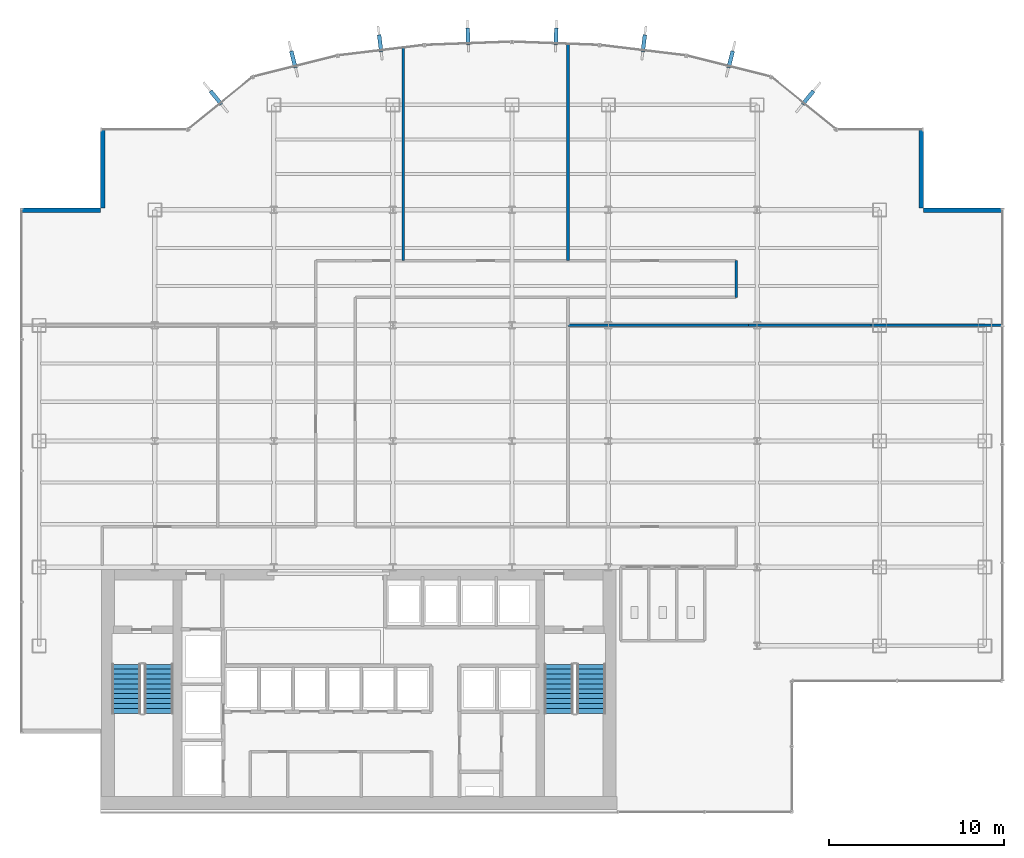
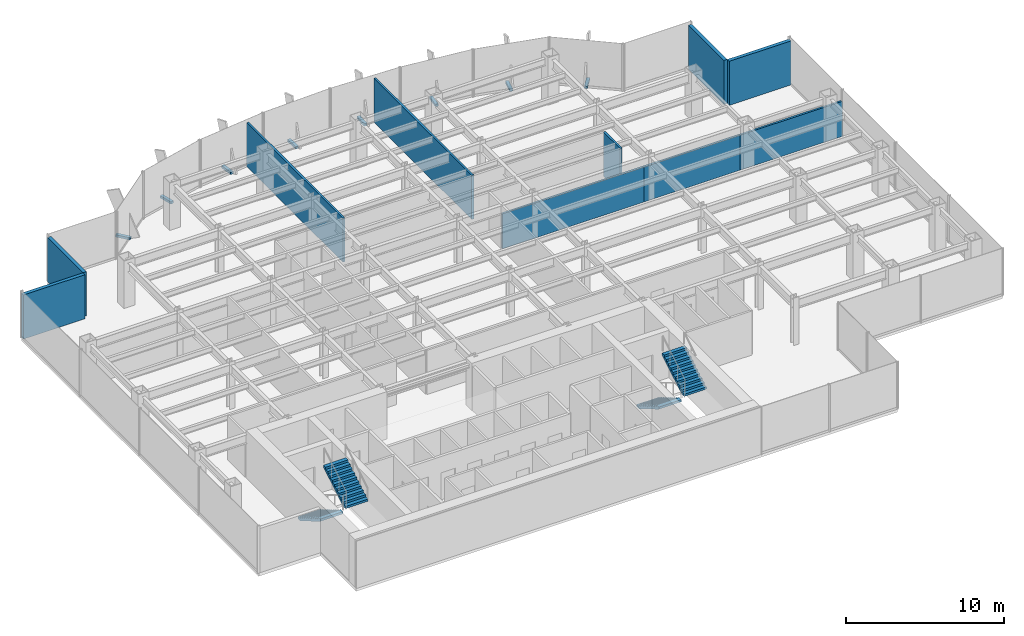
# One storey, part 23 of 26: 10 walls, 8 discrete accessories, 4 stair flights, 2 elements without a shape of their own.
"""IFC4 building model written with IfcOpenShell, lengths in metres."""

from ifc_helpers import new_model, si_unit, derived_unit, direction, frame, frame_2d, origin, origin_2d, place, context, subcontext, project, spatial, polyline, rectangle, outline, extrude, source, transform, mapped, material, layer, layer_set, type_object, element, aggregate, save


model = new_model("IFC4")

# Units and contexts
model_context = context("Model", 3, precision=1e-05, world=origin(), true_north=direction((0.0, 1.0)))
body_context = subcontext(model_context, "Body", "Model", "MODEL_VIEW")
ifc_project = project(units=[si_unit("LENGTHUNIT", "METRE"), si_unit("AREAUNIT", "SQUARE_METRE"), si_unit("VOLUMEUNIT", "CUBIC_METRE"), si_unit("PLANEANGLEUNIT", "RADIAN"), si_unit("MASSUNIT", "GRAM", prefix="KILO"), derived_unit("THERMALTRANSMITTANCEUNIT", [(si_unit("POWERUNIT", "WATT"), 1), (si_unit("LENGTHUNIT", "METRE"), -2), (si_unit("THERMODYNAMICTEMPERATUREUNIT", "KELVIN"), -1)])], contexts=[model_context])

# Site, building, storey
site_placement = place(None, origin())
site = spatial("IfcSite", under=ifc_project, at=site_placement, CompositionType="ELEMENT")
building_placement = place(site_placement, origin())
building = spatial("IfcBuilding", under=site, at=building_placement, Name="Skarnbrae Concourse Arena and Tower", CompositionType="ELEMENT")
storey_placement = place(building_placement, frame((0.0, 0.0, 128.800048828125)))
storey = spatial("IfcBuildingStorey", under=building, at=storey_placement, Name="L32", CompositionType="ELEMENT", Elevation=128.800048828125)

# Walls
ifc_material_1 = material(Name="Precast concrete 40 MPa (C40/50)", Category="concrete")
ifc_layer_1 = layer(ifc_material_1, 0.25)
ifc_layer_set_1 = layer_set([ifc_layer_1], Name="Precast concrete 40 MPa (C40/50)")
wall_type_1 = type_object("IfcWallType", Name="WALL-EXT-SPANDREL-250", PredefinedType="STANDARD", material=ifc_layer_set_1)
shared_shape_1 = source(origin(), body_context, "Body", "SweptSolid", [
    extrude(rectangle(XDim=4.5, YDim=0.25, at=frame_2d((2.25, 0.0))), origin(), (0.0, 0.0, 1.0), 3.39990234375),
])
for number, where, z_axis, x_axis, name in (
    (1, (56.0, 34.375, 0.0), (0.0, 0.0, 1.0), (-1.0, 0.0, 0.0), "L32 Notched corner insulated return wall 05"),
    (2, (51.375, 34.5, 0.0), (0.0, 0.0, 1.0), (0.0, 1.0, 0.0), "L32 Notched corner insulated return wall 06"),
    (3, (4.625, 39.0, 0.0), (0.0, 0.0, 1.0), (0.0, -1.0, 0.0), "L32 Notched corner insulated return wall 17"),
    (4, (4.5, 34.375, 0.0), (0.0, 0.0, 1.0), (-1.0, 0.0, 0.0), "L32 Notched corner insulated return wall 18"),
):
    element("IfcWall", number, at=place(storey_placement, frame(where, z_axis=z_axis, x_axis=x_axis)), inside=storey, type_object=wall_type_1, Name=name, PredefinedType="STANDARD", context=body_context, shape_type="MappedRepresentation", body=[
        mapped(shared_shape_1, transform((0.0, 0.0, 0.0))),
    ])
ifc_material_2 = material(Name="Gypsum board on cold-formed steel studs", Category="steel")
ifc_layer_2 = layer(ifc_material_2, 0.14990234375)
ifc_layer_set_2 = layer_set([ifc_layer_2], Name="Gypsum board on cold-formed steel studs")
wall_type_2 = type_object("IfcWallType", Name="WALL-PART-150-1HR", PredefinedType="PARTITIONING", material=ifc_layer_set_2)
shared_shape_2 = source(origin(), body_context, "Body", "SweptSolid", [
    extrude(rectangle(XDim=2.10009765625, YDim=0.14990234375, at=frame_2d((1.050048828125, 0.0))), origin(), (0.0, 0.0, 1.0), 3.39990234375),
])
wall_1_placement = place(storey_placement, frame((40.800048828125, 31.5, 0.0), z_axis=(0.0, 0.0, 1.0), x_axis=(0.0, -1.0, 0.0)))
element("IfcWall", 5, at=wall_1_placement, inside=storey, type_object=wall_type_2, Name="L32 Interior partition wall W-L32-COR-07", PredefinedType="PARTITIONING", context=body_context, shape_type="MappedRepresentation", body=[
    mapped(shared_shape_2, transform((0.0, 0.0, 0.0))),
])
ifc_layer_3 = layer(ifc_material_2, 0.14990234375)
ifc_layer_set_3 = layer_set([ifc_layer_3], Name="Gypsum board on cold-formed steel studs")
wall_type_3 = type_object("IfcWallType", Name="WALL-PART-150", PredefinedType="PARTITIONING", material=ifc_layer_set_3)
shared_shape_3 = source(origin(), body_context, "Body", "SweptSolid", [
    extrude(rectangle(XDim=12.1484375, YDim=0.14990234375, at=frame_2d((6.07421875, 0.0))), origin(), (0.0, 0.0, 1.0), 3.39990234375),
])
wall_2_placement = place(storey_placement, frame((21.800048828125, 43.6484375, 0.0), z_axis=(0.0, 0.0, 1.0), x_axis=(0.0, -1.0, 0.0)))
element("IfcWall", 6, at=wall_2_placement, inside=storey, type_object=wall_type_3, Name="L32 Interior partition wall W-L32-DEM-16", PredefinedType="PARTITIONING", context=body_context, shape_type="MappedRepresentation", body=[
    mapped(shared_shape_3, transform((0.0, 0.0, 0.0))),
])
shared_shape_4 = source(origin(), body_context, "Body", "SweptSolid", [
    extrude(rectangle(XDim=7.47998046875, YDim=0.14990234375, at=frame_2d((3.739990234375, 0.0))), origin(), (0.0, 0.0, 1.0), 2.701904296875),
])
wall_3_placement = place(storey_placement, frame((55.97998046875, 27.800048828125, 0.0), z_axis=(0.0, 0.0, 1.0), x_axis=(-1.0, 0.0, 0.0)))
element("IfcWall", 7, at=wall_3_placement, inside=storey, type_object=wall_type_3, Name="L32 Interior partition wall W-L32-DEM-18", PredefinedType="PARTITIONING", context=body_context, shape_type="MappedRepresentation", body=[
    mapped(shared_shape_4, transform((0.0, 0.0, 0.0))),
])
shared_shape_5 = source(origin(), body_context, "Body", "SweptSolid", [
    extrude(rectangle(XDim=7.0, YDim=0.14990234375, at=frame_2d((3.5, 0.0))), origin(), (0.0, 0.0, 1.0), 2.701904296875),
])
wall_4_placement = place(storey_placement, frame((48.5, 27.800048828125, 0.0), z_axis=(0.0, 0.0, 1.0), x_axis=(-1.0, 0.0, 0.0)))
element("IfcWall", 8, at=wall_4_placement, inside=storey, type_object=wall_type_3, Name="L32 Interior partition wall W-L32-DEM-19", PredefinedType="PARTITIONING", context=body_context, shape_type="MappedRepresentation", body=[
    mapped(shared_shape_5, transform((0.0, 0.0, 0.0))),
])
shared_shape_6 = source(origin(), body_context, "Body", "SweptSolid", [
    extrude(rectangle(XDim=10.300048828125, YDim=0.14990234375, at=frame_2d((5.14990234375, 0.0))), origin(), (0.0, 0.0, 1.0), 2.701904296875),
])
wall_5_placement = place(storey_placement, frame((41.5, 27.800048828125, 0.0), z_axis=(0.0, 0.0, 1.0), x_axis=(-1.0, 0.0, 0.0)))
element("IfcWall", 9, at=wall_5_placement, inside=storey, type_object=wall_type_3, Name="L32 Interior partition wall W-L32-DEM-20", PredefinedType="PARTITIONING", context=body_context, shape_type="MappedRepresentation", body=[
    mapped(shared_shape_6, transform((0.0, 0.0, 0.0))),
])
shared_shape_7 = source(origin(), body_context, "Body", "SweptSolid", [
    extrude(rectangle(XDim=12.36083984375, YDim=0.14990234375, at=frame_2d((6.180419921875, 0.0))), origin(), (0.0, 0.0, 1.0), 3.39990234375),
])
wall_6_placement = place(storey_placement, frame((31.199951171875, 43.86083984375, 0.0), z_axis=(0.0, 0.0, 1.0), x_axis=(0.0, -1.0, 0.0)))
element("IfcWall", 10, at=wall_6_placement, inside=storey, type_object=wall_type_3, Name="L32 Interior partition wall W-L32-DEM-22", PredefinedType="PARTITIONING", context=body_context, shape_type="MappedRepresentation", body=[
    mapped(shared_shape_7, transform((0.0, 0.0, 0.0))),
])

# Stair, stair flights
ifc_material_3 = material(Name="Concrete 40 MPa (C40/50)", Category="concrete")
stair_type = type_object("IfcStairType", Name="STAIR-DOGLEG-1650", PredefinedType="HALF_TURN_STAIR", material=ifc_material_3)
stair_1_placement = place(storey_placement, origin())
stair_1 = element("IfcStair", 11, at=stair_1_placement, inside=storey, type_object=stair_type, Name="L32 Protected Exit Stair ST-1", PredefinedType="HALF_TURN_STAIR")
stair_flight_type = type_object("IfcStairFlightType", Name="FLIGHT-STRAIGHT-1650", PredefinedType="STRAIGHT", material=ifc_material_3)
shared_shape_8 = source(origin(), body_context, "Body", "SweptSolid", [
    extrude(outline(polyline([(0.0, 0.0), (0.0, 0.166015625), (0.280029296875, 0.166015625), (0.280029296875, 0.331787109375), (0.56005859375, 0.331787109375), (0.56005859375, 0.497802734375), (0.840087890625, 0.497802734375), (0.840087890625, 0.66357421875), (1.1201171875, 0.66357421875), (1.1201171875, 0.82958984375), (1.39990234375, 0.82958984375), (1.39990234375, 0.995361328125), (1.679931640625, 0.995361328125), (1.679931640625, 1.161376953125), (1.9599609375, 1.161376953125), (1.9599609375, 1.327392578125), (2.239990234375, 1.327392578125), (2.239990234375, 1.4931640625), (2.52001953125, 1.4931640625), (2.52001953125, 1.6591796875), (2.800048828125, 1.6591796875), (2.800048828125, 1.824951171875), (2.800048828125, 1.48486328125), (0.2939453125, 0.0), (0.0, 0.0)])), frame((0.0, 0.824951171875, 0.0), z_axis=(0.0, -1.0, 0.0), x_axis=(1.0, 0.0, 0.0)), (0.0, 0.0, 1.0), 1.64990234375),
])
stair_flight_1_placement = place(storey_placement, frame((5.97509765625, 8.449951171875, 0.0), z_axis=(0.0, 0.0, 1.0), x_axis=(0.0, -1.0, 0.0)))
stair_flight_1 = element("IfcStairFlight", 12, at=stair_flight_1_placement, type_object=stair_flight_type, Name="ST-1 flight 1", NumberOfRisers=11, NumberOfTreads=10, PredefinedType="STRAIGHT", RiserHeight=0.165909091, TreadLength=0.28, context=body_context, shape_type="MappedRepresentation", body=[
    mapped(shared_shape_8, transform((0.0, 0.0, 0.0))),
])
stair_flight_2_placement = place(storey_placement, frame((7.824951171875, 5.64990234375, 1.824951171875), z_axis=(0.0, 0.0, 1.0), x_axis=(0.0, 1.0, 0.0)))
stair_flight_2 = element("IfcStairFlight", 13, at=stair_flight_2_placement, type_object=stair_flight_type, Name="ST-1 flight 2", NumberOfRisers=11, NumberOfTreads=10, PredefinedType="STRAIGHT", RiserHeight=0.165909091, TreadLength=0.28, context=body_context, shape_type="MappedRepresentation", body=[
    mapped(shared_shape_8, transform((0.0, 0.0, 0.0))),
])
aggregate(stair_1, [stair_flight_1, stair_flight_2])

stair_2_placement = place(storey_placement, origin())
stair_2 = element("IfcStair", 14, at=stair_2_placement, inside=storey, type_object=stair_type, Name="L32 Protected Exit Stair ST-2", PredefinedType="HALF_TURN_STAIR")
stair_flight_3_placement = place(storey_placement, frame((30.675048828125, 8.449951171875, 0.0), z_axis=(0.0, 0.0, 1.0), x_axis=(0.0, -1.0, 0.0)))
stair_flight_3 = element("IfcStairFlight", 15, at=stair_flight_3_placement, type_object=stair_flight_type, Name="ST-2 flight 1", NumberOfRisers=11, NumberOfTreads=10, PredefinedType="STRAIGHT", RiserHeight=0.165909091, TreadLength=0.28, context=body_context, shape_type="MappedRepresentation", body=[
    mapped(shared_shape_8, transform((0.0, 0.0, 0.0))),
])
stair_flight_4_placement = place(storey_placement, frame((32.52490234375, 5.64990234375, 1.824951171875), z_axis=(0.0, 0.0, 1.0), x_axis=(0.0, 1.0, 0.0)))
stair_flight_4 = element("IfcStairFlight", 16, at=stair_flight_4_placement, type_object=stair_flight_type, Name="ST-2 flight 2", NumberOfRisers=11, NumberOfTreads=10, PredefinedType="STRAIGHT", RiserHeight=0.165909091, TreadLength=0.28, context=body_context, shape_type="MappedRepresentation", body=[
    mapped(shared_shape_8, transform((0.0, 0.0, 0.0))),
])
aggregate(stair_2, [stair_flight_3, stair_flight_4])

# Discrete accessories
ifc_material_4 = material(Name="Bronze anodised aluminium 6063-T6", Category="aluminium")
discrete_accessory_type = type_object("IfcDiscreteAccessoryType", Name="ACC-FIN-BRACKET", PredefinedType="BRACKET", material=ifc_material_4)
shared_shape_9 = source(origin(), body_context, "Body", "SweptSolid", [
    extrude(rectangle(XDim=0.219970703125, YDim=0.97998046875, at=origin_2d()), origin(), (0.0, 0.0, 1.0), 0.179931640625),
])
for number, where, z_axis, x_axis, name in (
    (17, (44.90771484375, 40.80859375, -0.02978515625), (0.0, 0.0, 1.0), (0.776244501415, -0.630431974144, 0.0), "L32 Bronze fin foot support bracket 08"),
    (18, (40.485107421875, 42.992431640625, -0.02978515625), (0.0, 0.0, 1.0), (0.969901771235, -0.243496517748, 0.0), "L32 Bronze fin foot support bracket 09"),
    (19, (35.529541015625, 43.910400390625, -0.02978515625), (0.0, 0.0, 1.0), (0.992748952377, -0.120206146079, 0.0), "L32 Bronze fin foot support bracket 10"),
    (20, (30.514404296875, 44.306640625, -0.02978515625), (0.0, 0.0, 1.0), (0.999308421355, -0.037184392011, 0.0), "L32 Bronze fin foot support bracket 11"),
    (21, (25.485595703125, 44.306640625, -0.02978515625), (0.0, 0.0, 1.0), (0.999308421355, 0.037184392011, 0.0), "L32 Bronze fin foot support bracket 12"),
    (22, (20.470458984375, 43.910400390625, -0.02978515625), (0.0, 0.0, 1.0), (0.992748952377, 0.120206146079, 0.0), "L32 Bronze fin foot support bracket 13"),
    (23, (15.514892578125, 42.992431640625, -0.02978515625), (0.0, 0.0, 1.0), (0.969901771235, 0.243496517748, 0.0), "L32 Bronze fin foot support bracket 14"),
    (24, (11.09228515625, 40.80859375, -0.02978515625), (0.0, 0.0, 1.0), (0.776244501415, 0.630431974144, 0.0), "L32 Bronze fin foot support bracket 15"),
):
    element("IfcDiscreteAccessory", number, at=place(storey_placement, frame(where, z_axis=z_axis, x_axis=x_axis)), inside=storey, type_object=discrete_accessory_type, Name=name, PredefinedType="BRACKET", context=body_context, shape_type="MappedRepresentation", body=[
        mapped(shared_shape_9, transform((0.0, 0.0, 0.0))),
    ])

save(model, "model.ifc")
